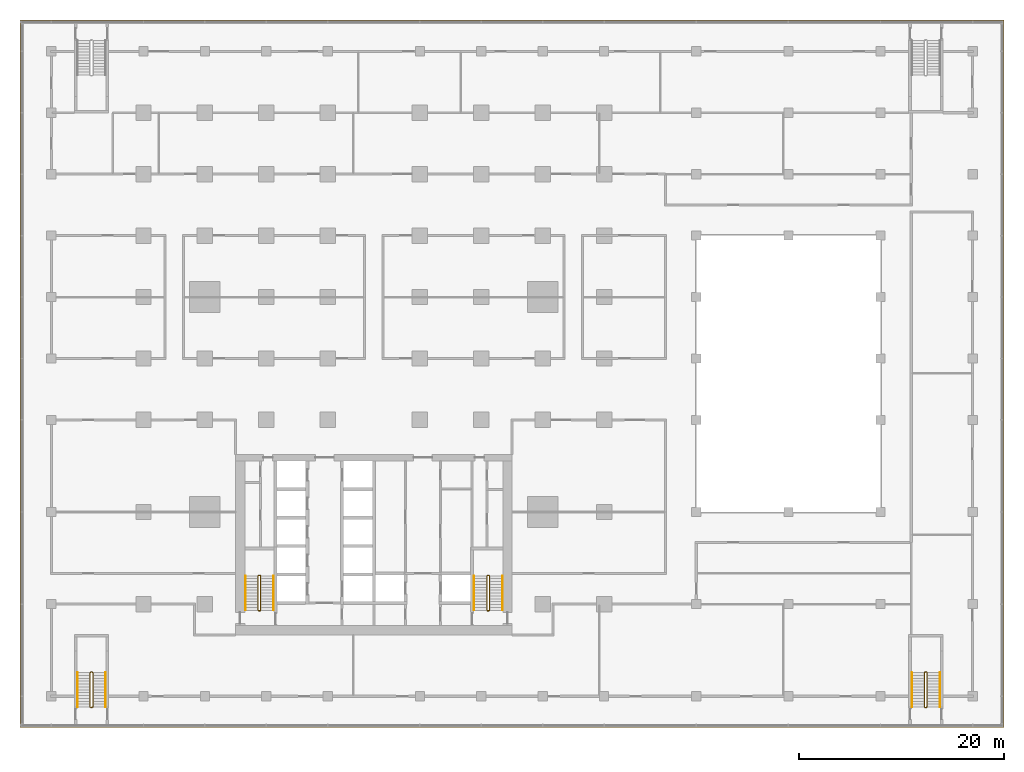
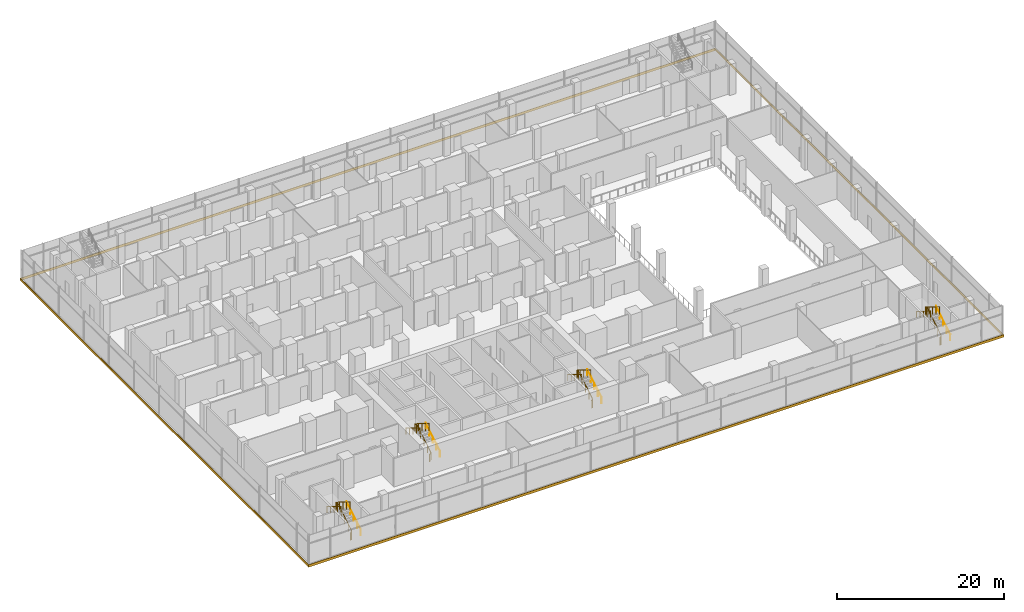
# One storey, part 21 of 22: 12 railings, 1 covering.
"""IFC4 building model written with IfcOpenShell, lengths in metres."""

from ifc_helpers import new_model, si_unit, direction, frame, origin, origin_2d, place, context, subcontext, project, spatial, polyline, circle, outline, extrude, material, layer, layer_set, type_object, element, save


model = new_model("IFC4")

# Units and contexts
model_context = context("Model", 3, precision=1e-05, world=origin(), true_north=direction((0.0, 1.0)))
body_context = subcontext(model_context, "Body", "Model", "MODEL_VIEW")
ifc_project = project(units=[si_unit("LENGTHUNIT", "METRE"), si_unit("AREAUNIT", "SQUARE_METRE"), si_unit("VOLUMEUNIT", "CUBIC_METRE"), si_unit("PLANEANGLEUNIT", "RADIAN"), si_unit("MASSUNIT", "GRAM", prefix="KILO")], contexts=[model_context])

# Site, building, storey
site_placement = place(None, origin())
site = spatial("IfcSite", under=ifc_project, at=site_placement, CompositionType="ELEMENT")
building_placement = place(site_placement, origin())
building = spatial("IfcBuilding", under=site, at=building_placement, Name="Finial Court Residences", CompositionType="ELEMENT")
storey_placement = place(building_placement, frame((0.0, 0.0, 23.5)))
storey = spatial("IfcBuildingStorey", under=building, at=storey_placement, Name="L04", CompositionType="ELEMENT", Elevation=23.5)

# Covering
ifc_material_1 = material(Name="Pale limestone", Category="masonry")
ifc_layer = layer(ifc_material_1, 0.06005859375)
ifc_layer_set = layer_set([ifc_layer], Name="Pale limestone slab-edge band 60")
covering_type = type_object("IfcCoveringType", Name="Pale limestone slab-edge band 60", PredefinedType="CLADDING", material=ifc_layer_set)
covering_placement = place(storey_placement, frame((0.0, 0.0, -0.35009765625)))
element("IfcCovering", 1, at=covering_placement, inside=storey, type_object=covering_type, Name="E-L04-BAND1", PredefinedType="CLADDING", context=body_context, shape_type="SweptSolid", body=[
    extrude(outline(polyline([(-34.56005859375, 34.56005859375), (61.56005859375, 34.56005859375), (61.56005859375, -34.56005859375), (-34.56005859375, -34.56005859375), (-34.56005859375, 34.56005859375)]), holes=[polyline([(61.5, -34.5), (61.5, 34.5), (-34.5, 34.5), (-34.5, -34.5), (61.5, -34.5)])]), origin(), (0.0, 0.0, 1.0), 0.35009765625),
])

# Railings
ifc_material_2 = material(Name="Stainless steel railing", Category="steel")
railing_type_1 = type_object("IfcRailingType", Name="Stair guard 1100", PredefinedType="GUARDRAIL", material=ifc_material_2)
railing_1_placement = place(storey_placement, frame((-11.10009765625, -23.14990234375, 0.0)))
element("IfcRailing", 2, at=railing_1_placement, inside=storey, type_object=railing_type_1, Name="L04 ST-1 stair guard 1", PredefinedType="GUARDRAIL", context=body_context, shape_type="SweptSolid", body=[
    extrude(circle(Radius=0.02392578125, at=origin_2d()), frame((0.0, 0.0, 1.076171875), z_axis=(-1.0, 0.0, 0.0), x_axis=(0.0, -1.0, 0.0)), (0.0, 0.0, 1.0), 0.14990234375),
    extrude(circle(Radius=0.02392578125, at=origin_2d()), frame((-0.14990234375, 0.0, 1.076171875), z_axis=(0.742994154839, 0.185068141132, 0.643202510111), x_axis=(-0.241699205484, 0.970351222016, 0.0)), (0.0, 0.0, 1.0), 0.26904296875),
    extrude(circle(Radius=0.02392578125, at=origin_2d()), frame((0.050048828125, 0.0498046875, 1.2490234375), z_axis=(0.0, 0.850623216509, 0.525775754039), x_axis=(-1.0, 0.0, 0.0)), (0.0, 0.0, 1.0), 3.9501953125),
    extrude(circle(Radius=0.02392578125, at=origin_2d()), frame((0.050048828125, 3.409912109375, 3.326171875), z_axis=(-0.707106781187, 0.707106781187, 0.0), x_axis=(-0.707106781187, -0.707106781187, 0.0)), (0.0, 0.0, 1.0), 0.07080078125),
    extrude(circle(Radius=0.02392578125, at=origin_2d()), frame((0.0, 3.4599609375, 3.326171875), z_axis=(-1.0, 0.0, 0.0), x_axis=(0.0, -1.0, 0.0)), (0.0, 0.0, 1.0), 0.14990234375),
    extrude(circle(Radius=0.02392578125, at=origin_2d()), frame((-0.14990234375, 3.4599609375, 3.326171875), z_axis=(-0.267629722418, -0.267629722418, 0.925607186314), x_axis=(0.707106781187, -0.707106781187, 0.0)), (0.0, 0.0, 1.0), 0.18701171875),
    extrude(circle(Radius=0.02392578125, at=origin_2d()), frame((-0.199951171875, 3.409912109375, 3.4990234375), z_axis=(0.0, -0.850623216509, 0.525775754039), x_axis=(1.0, 0.0, 0.0)), (0.0, 0.0, 1.0), 3.9501953125),
    extrude(circle(Radius=0.02099609375, at=origin_2d()), origin(), (0.0, 0.0, 1.0), 1.052001953125),
    extrude(circle(Radius=0.02099609375, at=origin_2d()), frame((-0.14990234375, 0.0, 0.0)), (0.0, 0.0, 1.0), 1.052001953125),
    extrude(circle(Radius=0.02099609375, at=origin_2d()), frame((0.050048828125, 0.0498046875, 0.173095703125)), (0.0, 0.0, 1.0), 1.052001953125),
    extrude(circle(Radius=0.02099609375, at=origin_2d()), frame((0.050048828125, 0.889892578125, 0.6923828125)), (0.0, 0.0, 1.0), 1.052001953125),
    extrude(circle(Radius=0.02099609375, at=origin_2d()), frame((0.050048828125, 1.72998046875, 1.21142578125)), (0.0, 0.0, 1.0), 1.052001953125),
    extrude(circle(Radius=0.02099609375, at=origin_2d()), frame((0.050048828125, 2.56982421875, 1.730712890625)), (0.0, 0.0, 1.0), 1.052001953125),
    extrude(circle(Radius=0.02099609375, at=origin_2d()), frame((0.050048828125, 3.409912109375, 2.25)), (0.0, 0.0, 1.0), 1.052001953125),
    extrude(circle(Radius=0.02099609375, at=origin_2d()), frame((0.0, 3.4599609375, 2.25)), (0.0, 0.0, 1.0), 1.052001953125),
    extrude(circle(Radius=0.02099609375, at=origin_2d()), frame((-0.14990234375, 3.4599609375, 2.25)), (0.0, 0.0, 1.0), 1.052001953125),
    extrude(circle(Radius=0.02099609375, at=origin_2d()), frame((-0.199951171875, 3.409912109375, 2.423095703125)), (0.0, 0.0, 1.0), 1.052001953125),
    extrude(circle(Radius=0.02099609375, at=origin_2d()), frame((-0.199951171875, 2.56982421875, 2.9423828125)), (0.0, 0.0, 1.0), 1.052001953125),
    extrude(circle(Radius=0.02099609375, at=origin_2d()), frame((-0.199951171875, 1.72998046875, 3.46142578125)), (0.0, 0.0, 1.0), 1.052001953125),
    extrude(circle(Radius=0.02099609375, at=origin_2d()), frame((-0.199951171875, 0.889892578125, 3.980712890625)), (0.0, 0.0, 1.0), 1.052001953125),
    extrude(circle(Radius=0.02099609375, at=origin_2d()), frame((-0.199951171875, 0.0498046875, 4.5)), (0.0, 0.0, 1.0), 1.052001953125),
])
railing_2_placement = place(storey_placement, frame((11.25, -23.14990234375, 0.0)))
element("IfcRailing", 3, at=railing_2_placement, inside=storey, type_object=railing_type_1, Name="L04 ST-2 stair guard 1", PredefinedType="GUARDRAIL", context=body_context, shape_type="SweptSolid", body=[
    extrude(circle(Radius=0.02392578125, at=origin_2d()), frame((0.0, 0.0, 1.076171875), z_axis=(-1.0, 0.0, 0.0), x_axis=(0.0, -1.0, 0.0)), (0.0, 0.0, 1.0), 0.14990234375),
    extrude(circle(Radius=0.02392578125, at=origin_2d()), frame((-0.14990234375, 0.0, 1.076171875), z_axis=(0.742994154839, 0.185068141132, 0.643202510111), x_axis=(-0.241699205484, 0.970351222016, 0.0)), (0.0, 0.0, 1.0), 0.26904296875),
    extrude(circle(Radius=0.02392578125, at=origin_2d()), frame((0.050048828125, 0.0498046875, 1.2490234375), z_axis=(0.0, 0.850623216509, 0.525775754039), x_axis=(-1.0, 0.0, 0.0)), (0.0, 0.0, 1.0), 3.9501953125),
    extrude(circle(Radius=0.02392578125, at=origin_2d()), frame((0.050048828125, 3.409912109375, 3.326171875), z_axis=(-0.707106781187, 0.707106781187, 0.0), x_axis=(-0.707106781187, -0.707106781187, 0.0)), (0.0, 0.0, 1.0), 0.07080078125),
    extrude(circle(Radius=0.02392578125, at=origin_2d()), frame((0.0, 3.4599609375, 3.326171875), z_axis=(-1.0, 0.0, 0.0), x_axis=(0.0, -1.0, 0.0)), (0.0, 0.0, 1.0), 0.14990234375),
    extrude(circle(Radius=0.02392578125, at=origin_2d()), frame((-0.14990234375, 3.4599609375, 3.326171875), z_axis=(-0.267629722418, -0.267629722418, 0.925607186314), x_axis=(0.707106781187, -0.707106781187, 0.0)), (0.0, 0.0, 1.0), 0.18701171875),
    extrude(circle(Radius=0.02392578125, at=origin_2d()), frame((-0.199951171875, 3.409912109375, 3.4990234375), z_axis=(0.0, -0.850623216509, 0.525775754039), x_axis=(1.0, 0.0, 0.0)), (0.0, 0.0, 1.0), 3.9501953125),
    extrude(circle(Radius=0.02099609375, at=origin_2d()), origin(), (0.0, 0.0, 1.0), 1.052001953125),
    extrude(circle(Radius=0.02099609375, at=origin_2d()), frame((-0.14990234375, 0.0, 0.0)), (0.0, 0.0, 1.0), 1.052001953125),
    extrude(circle(Radius=0.02099609375, at=origin_2d()), frame((0.050048828125, 0.0498046875, 0.173095703125)), (0.0, 0.0, 1.0), 1.052001953125),
    extrude(circle(Radius=0.02099609375, at=origin_2d()), frame((0.050048828125, 0.889892578125, 0.6923828125)), (0.0, 0.0, 1.0), 1.052001953125),
    extrude(circle(Radius=0.02099609375, at=origin_2d()), frame((0.050048828125, 1.72998046875, 1.21142578125)), (0.0, 0.0, 1.0), 1.052001953125),
    extrude(circle(Radius=0.02099609375, at=origin_2d()), frame((0.050048828125, 2.56982421875, 1.730712890625)), (0.0, 0.0, 1.0), 1.052001953125),
    extrude(circle(Radius=0.02099609375, at=origin_2d()), frame((0.050048828125, 3.409912109375, 2.25)), (0.0, 0.0, 1.0), 1.052001953125),
    extrude(circle(Radius=0.02099609375, at=origin_2d()), frame((0.0, 3.4599609375, 2.25)), (0.0, 0.0, 1.0), 1.052001953125),
    extrude(circle(Radius=0.02099609375, at=origin_2d()), frame((-0.14990234375, 3.4599609375, 2.25)), (0.0, 0.0, 1.0), 1.052001953125),
    extrude(circle(Radius=0.02099609375, at=origin_2d()), frame((-0.199951171875, 3.409912109375, 2.423095703125)), (0.0, 0.0, 1.0), 1.052001953125),
    extrude(circle(Radius=0.02099609375, at=origin_2d()), frame((-0.199951171875, 2.56982421875, 2.9423828125)), (0.0, 0.0, 1.0), 1.052001953125),
    extrude(circle(Radius=0.02099609375, at=origin_2d()), frame((-0.199951171875, 1.72998046875, 3.46142578125)), (0.0, 0.0, 1.0), 1.052001953125),
    extrude(circle(Radius=0.02099609375, at=origin_2d()), frame((-0.199951171875, 0.889892578125, 3.980712890625)), (0.0, 0.0, 1.0), 1.052001953125),
    extrude(circle(Radius=0.02099609375, at=origin_2d()), frame((-0.199951171875, 0.0498046875, 4.5)), (0.0, 0.0, 1.0), 1.052001953125),
])
railing_3_placement = place(storey_placement, frame((54.0, -32.60009765625, 0.0)))
element("IfcRailing", 4, at=railing_3_placement, inside=storey, type_object=railing_type_1, Name="L04 ST-3 stair guard 1", PredefinedType="GUARDRAIL", context=body_context, shape_type="SweptSolid", body=[
    extrude(circle(Radius=0.02392578125, at=origin_2d()), frame((0.0, 0.0, 1.076171875), z_axis=(-1.0, 0.0, 0.0), x_axis=(0.0, -1.0, 0.0)), (0.0, 0.0, 1.0), 0.14990234375),
    extrude(circle(Radius=0.02392578125, at=origin_2d()), frame((-0.14990234375, 0.0, 1.076171875), z_axis=(0.742869136974, 0.185944045274, 0.643094283413), x_axis=(-0.242814311512, 0.970072785993, 0.0)), (0.0, 0.0, 1.0), 0.26904296875),
    extrude(circle(Radius=0.02392578125, at=origin_2d()), frame((0.050048828125, 0.050048828125, 1.2490234375), z_axis=(0.0, 0.850623216509, 0.525775754039), x_axis=(-1.0, 0.0, 0.0)), (0.0, 0.0, 1.0), 3.9501953125),
    extrude(circle(Radius=0.02392578125, at=origin_2d()), frame((0.050048828125, 3.41015625, 3.326171875), z_axis=(-0.707106781187, 0.707106781187, 0.0), x_axis=(-0.707106781187, -0.707106781187, 0.0)), (0.0, 0.0, 1.0), 0.07080078125),
    extrude(circle(Radius=0.02392578125, at=origin_2d()), frame((0.0, 3.460205078125, 3.326171875), z_axis=(-1.0, 0.0, 0.0), x_axis=(0.0, -1.0, 0.0)), (0.0, 0.0, 1.0), 0.14990234375),
    extrude(circle(Radius=0.02392578125, at=origin_2d()), frame((-0.14990234375, 3.460205078125, 3.326171875), z_axis=(-0.267629722418, -0.267629722418, 0.925607186314), x_axis=(0.707106781187, -0.707106781187, 0.0)), (0.0, 0.0, 1.0), 0.18701171875),
    extrude(circle(Radius=0.02392578125, at=origin_2d()), frame((-0.199951171875, 3.41015625, 3.4990234375), z_axis=(0.0, -0.850623216509, 0.525775754039), x_axis=(1.0, 0.0, 0.0)), (0.0, 0.0, 1.0), 3.9501953125),
    extrude(circle(Radius=0.02099609375, at=origin_2d()), origin(), (0.0, 0.0, 1.0), 1.052001953125),
    extrude(circle(Radius=0.02099609375, at=origin_2d()), frame((-0.14990234375, 0.0, 0.0)), (0.0, 0.0, 1.0), 1.052001953125),
    extrude(circle(Radius=0.02099609375, at=origin_2d()), frame((0.050048828125, 0.050048828125, 0.173095703125)), (0.0, 0.0, 1.0), 1.052001953125),
    extrude(circle(Radius=0.02099609375, at=origin_2d()), frame((0.050048828125, 0.89013671875, 0.6923828125)), (0.0, 0.0, 1.0), 1.052001953125),
    extrude(circle(Radius=0.02099609375, at=origin_2d()), frame((0.050048828125, 1.72998046875, 1.21142578125)), (0.0, 0.0, 1.0), 1.052001953125),
    extrude(circle(Radius=0.02099609375, at=origin_2d()), frame((0.050048828125, 2.570068359375, 1.730712890625)), (0.0, 0.0, 1.0), 1.052001953125),
    extrude(circle(Radius=0.02099609375, at=origin_2d()), frame((0.050048828125, 3.41015625, 2.25)), (0.0, 0.0, 1.0), 1.052001953125),
    extrude(circle(Radius=0.02099609375, at=origin_2d()), frame((0.0, 3.460205078125, 2.25)), (0.0, 0.0, 1.0), 1.052001953125),
    extrude(circle(Radius=0.02099609375, at=origin_2d()), frame((-0.14990234375, 3.460205078125, 2.25)), (0.0, 0.0, 1.0), 1.052001953125),
    extrude(circle(Radius=0.02099609375, at=origin_2d()), frame((-0.199951171875, 3.41015625, 2.423095703125)), (0.0, 0.0, 1.0), 1.052001953125),
    extrude(circle(Radius=0.02099609375, at=origin_2d()), frame((-0.199951171875, 2.570068359375, 2.9423828125)), (0.0, 0.0, 1.0), 1.052001953125),
    extrude(circle(Radius=0.02099609375, at=origin_2d()), frame((-0.199951171875, 1.72998046875, 3.46142578125)), (0.0, 0.0, 1.0), 1.052001953125),
    extrude(circle(Radius=0.02099609375, at=origin_2d()), frame((-0.199951171875, 0.89013671875, 3.980712890625)), (0.0, 0.0, 1.0), 1.052001953125),
    extrude(circle(Radius=0.02099609375, at=origin_2d()), frame((-0.199951171875, 0.050048828125, 4.5)), (0.0, 0.0, 1.0), 1.052001953125),
])
railing_4_placement = place(storey_placement, frame((-27.5, -32.60009765625, 0.0)))
element("IfcRailing", 5, at=railing_4_placement, inside=storey, type_object=railing_type_1, Name="L04 ST-4 stair guard 1", PredefinedType="GUARDRAIL", context=body_context, shape_type="SweptSolid", body=[
    extrude(circle(Radius=0.02392578125, at=origin_2d()), frame((0.0, 0.0, 1.076171875), z_axis=(-1.0, 0.0, 0.0), x_axis=(0.0, -1.0, 0.0)), (0.0, 0.0, 1.0), 0.14990234375),
    extrude(circle(Radius=0.02392578125, at=origin_2d()), frame((-0.14990234375, 0.0, 1.076171875), z_axis=(0.742869136974, 0.185944045274, 0.643094283413), x_axis=(-0.242814311512, 0.970072785993, 0.0)), (0.0, 0.0, 1.0), 0.26904296875),
    extrude(circle(Radius=0.02392578125, at=origin_2d()), frame((0.050048828125, 0.050048828125, 1.2490234375), z_axis=(0.0, 0.850623216509, 0.525775754039), x_axis=(-1.0, 0.0, 0.0)), (0.0, 0.0, 1.0), 3.9501953125),
    extrude(circle(Radius=0.02392578125, at=origin_2d()), frame((0.050048828125, 3.41015625, 3.326171875), z_axis=(-0.707106781187, 0.707106781187, 0.0), x_axis=(-0.707106781187, -0.707106781187, 0.0)), (0.0, 0.0, 1.0), 0.07080078125),
    extrude(circle(Radius=0.02392578125, at=origin_2d()), frame((0.0, 3.460205078125, 3.326171875), z_axis=(-1.0, 0.0, 0.0), x_axis=(0.0, -1.0, 0.0)), (0.0, 0.0, 1.0), 0.14990234375),
    extrude(circle(Radius=0.02392578125, at=origin_2d()), frame((-0.14990234375, 3.460205078125, 3.326171875), z_axis=(-0.267629722418, -0.267629722418, 0.925607186314), x_axis=(0.707106781187, -0.707106781187, 0.0)), (0.0, 0.0, 1.0), 0.18701171875),
    extrude(circle(Radius=0.02392578125, at=origin_2d()), frame((-0.199951171875, 3.41015625, 3.4990234375), z_axis=(0.0, -0.850623216509, 0.525775754039), x_axis=(1.0, 0.0, 0.0)), (0.0, 0.0, 1.0), 3.9501953125),
    extrude(circle(Radius=0.02099609375, at=origin_2d()), origin(), (0.0, 0.0, 1.0), 1.052001953125),
    extrude(circle(Radius=0.02099609375, at=origin_2d()), frame((-0.14990234375, 0.0, 0.0)), (0.0, 0.0, 1.0), 1.052001953125),
    extrude(circle(Radius=0.02099609375, at=origin_2d()), frame((0.050048828125, 0.050048828125, 0.173095703125)), (0.0, 0.0, 1.0), 1.052001953125),
    extrude(circle(Radius=0.02099609375, at=origin_2d()), frame((0.050048828125, 0.89013671875, 0.6923828125)), (0.0, 0.0, 1.0), 1.052001953125),
    extrude(circle(Radius=0.02099609375, at=origin_2d()), frame((0.050048828125, 1.72998046875, 1.21142578125)), (0.0, 0.0, 1.0), 1.052001953125),
    extrude(circle(Radius=0.02099609375, at=origin_2d()), frame((0.050048828125, 2.570068359375, 1.730712890625)), (0.0, 0.0, 1.0), 1.052001953125),
    extrude(circle(Radius=0.02099609375, at=origin_2d()), frame((0.050048828125, 3.41015625, 2.25)), (0.0, 0.0, 1.0), 1.052001953125),
    extrude(circle(Radius=0.02099609375, at=origin_2d()), frame((0.0, 3.460205078125, 2.25)), (0.0, 0.0, 1.0), 1.052001953125),
    extrude(circle(Radius=0.02099609375, at=origin_2d()), frame((-0.14990234375, 3.460205078125, 2.25)), (0.0, 0.0, 1.0), 1.052001953125),
    extrude(circle(Radius=0.02099609375, at=origin_2d()), frame((-0.199951171875, 3.41015625, 2.423095703125)), (0.0, 0.0, 1.0), 1.052001953125),
    extrude(circle(Radius=0.02099609375, at=origin_2d()), frame((-0.199951171875, 2.570068359375, 2.9423828125)), (0.0, 0.0, 1.0), 1.052001953125),
    extrude(circle(Radius=0.02099609375, at=origin_2d()), frame((-0.199951171875, 1.72998046875, 3.46142578125)), (0.0, 0.0, 1.0), 1.052001953125),
    extrude(circle(Radius=0.02099609375, at=origin_2d()), frame((-0.199951171875, 0.89013671875, 3.980712890625)), (0.0, 0.0, 1.0), 1.052001953125),
    extrude(circle(Radius=0.02099609375, at=origin_2d()), frame((-0.199951171875, 0.050048828125, 4.5)), (0.0, 0.0, 1.0), 1.052001953125),
])
railing_type_2 = type_object("IfcRailingType", Name="Stair handrail 900", PredefinedType="HANDRAIL", material=ifc_material_2)
railing_5_placement = place(storey_placement, frame((-9.800048828125, -23.10009765625, 0.173095703125)))
element("IfcRailing", 6, at=railing_5_placement, inside=storey, type_object=railing_type_2, Name="L04 ST-1 stair handrail 1", PredefinedType="HANDRAIL", context=body_context, shape_type="SweptSolid", body=[
    extrude(circle(Radius=0.02392578125, at=origin_2d()), frame((0.0, 0.0, 0.8759765625), z_axis=(0.0, 0.850623216509, 0.525775754039), x_axis=(-1.0, 0.0, 0.0)), (0.0, 0.0, 1.0), 3.9501953125),
    extrude(circle(Radius=0.02099609375, at=origin_2d()), origin(), (0.0, 0.0, 1.0), 0.851806640625),
    extrude(circle(Radius=0.02099609375, at=origin_2d()), frame((0.0, 0.840087890625, 0.519287109375)), (0.0, 0.0, 1.0), 0.851806640625),
    extrude(circle(Radius=0.02099609375, at=origin_2d()), frame((0.0, 1.68017578125, 1.03857421875)), (0.0, 0.0, 1.0), 0.851806640625),
    extrude(circle(Radius=0.02099609375, at=origin_2d()), frame((0.0, 2.52001953125, 1.5576171875)), (0.0, 0.0, 1.0), 0.851806640625),
    extrude(circle(Radius=0.02099609375, at=origin_2d()), frame((0.0, 3.360107421875, 2.076904296875)), (0.0, 0.0, 1.0), 0.851806640625),
])
railing_6_placement = place(storey_placement, frame((-12.550048828125, -19.739990234375, 2.423095703125)))
element("IfcRailing", 7, at=railing_6_placement, inside=storey, type_object=railing_type_2, Name="L04 ST-1 stair handrail 2", PredefinedType="HANDRAIL", context=body_context, shape_type="SweptSolid", body=[
    extrude(circle(Radius=0.02392578125, at=origin_2d()), frame((0.0, 0.0, 0.8759765625), z_axis=(0.0, -0.850623216509, 0.525775754039), x_axis=(1.0, 0.0, 0.0)), (0.0, 0.0, 1.0), 3.9501953125),
    extrude(circle(Radius=0.02099609375, at=origin_2d()), origin(), (0.0, 0.0, 1.0), 0.851806640625),
    extrude(circle(Radius=0.02099609375, at=origin_2d()), frame((0.0, -0.840087890625, 0.519287109375)), (0.0, 0.0, 1.0), 0.851806640625),
    extrude(circle(Radius=0.02099609375, at=origin_2d()), frame((0.0, -1.68017578125, 1.03857421875)), (0.0, 0.0, 1.0), 0.851806640625),
    extrude(circle(Radius=0.02099609375, at=origin_2d()), frame((0.0, -2.52001953125, 1.5576171875)), (0.0, 0.0, 1.0), 0.851806640625),
    extrude(circle(Radius=0.02099609375, at=origin_2d()), frame((0.0, -3.360107421875, 2.076904296875)), (0.0, 0.0, 1.0), 0.851806640625),
])
railing_7_placement = place(storey_placement, frame((12.550048828125, -23.10009765625, 0.173095703125)))
element("IfcRailing", 8, at=railing_7_placement, inside=storey, type_object=railing_type_2, Name="L04 ST-2 stair handrail 1", PredefinedType="HANDRAIL", context=body_context, shape_type="SweptSolid", body=[
    extrude(circle(Radius=0.02392578125, at=origin_2d()), frame((0.0, 0.0, 0.8759765625), z_axis=(0.0, 0.850623216509, 0.525775754039), x_axis=(-1.0, 0.0, 0.0)), (0.0, 0.0, 1.0), 3.9501953125),
    extrude(circle(Radius=0.02099609375, at=origin_2d()), origin(), (0.0, 0.0, 1.0), 0.851806640625),
    extrude(circle(Radius=0.02099609375, at=origin_2d()), frame((0.0, 0.840087890625, 0.519287109375)), (0.0, 0.0, 1.0), 0.851806640625),
    extrude(circle(Radius=0.02099609375, at=origin_2d()), frame((0.0, 1.68017578125, 1.03857421875)), (0.0, 0.0, 1.0), 0.851806640625),
    extrude(circle(Radius=0.02099609375, at=origin_2d()), frame((0.0, 2.52001953125, 1.5576171875)), (0.0, 0.0, 1.0), 0.851806640625),
    extrude(circle(Radius=0.02099609375, at=origin_2d()), frame((0.0, 3.360107421875, 2.076904296875)), (0.0, 0.0, 1.0), 0.851806640625),
])
railing_8_placement = place(storey_placement, frame((9.800048828125, -19.739990234375, 2.423095703125)))
element("IfcRailing", 9, at=railing_8_placement, inside=storey, type_object=railing_type_2, Name="L04 ST-2 stair handrail 2", PredefinedType="HANDRAIL", context=body_context, shape_type="SweptSolid", body=[
    extrude(circle(Radius=0.02392578125, at=origin_2d()), frame((0.0, 0.0, 0.8759765625), z_axis=(0.0, -0.850623216509, 0.525775754039), x_axis=(1.0, 0.0, 0.0)), (0.0, 0.0, 1.0), 3.9501953125),
    extrude(circle(Radius=0.02099609375, at=origin_2d()), origin(), (0.0, 0.0, 1.0), 0.851806640625),
    extrude(circle(Radius=0.02099609375, at=origin_2d()), frame((0.0, -0.840087890625, 0.519287109375)), (0.0, 0.0, 1.0), 0.851806640625),
    extrude(circle(Radius=0.02099609375, at=origin_2d()), frame((0.0, -1.68017578125, 1.03857421875)), (0.0, 0.0, 1.0), 0.851806640625),
    extrude(circle(Radius=0.02099609375, at=origin_2d()), frame((0.0, -2.52001953125, 1.5576171875)), (0.0, 0.0, 1.0), 0.851806640625),
    extrude(circle(Radius=0.02099609375, at=origin_2d()), frame((0.0, -3.360107421875, 2.076904296875)), (0.0, 0.0, 1.0), 0.851806640625),
])
railing_9_placement = place(storey_placement, frame((55.300048828125, -32.550048828125, 0.173095703125)))
element("IfcRailing", 10, at=railing_9_placement, inside=storey, type_object=railing_type_2, Name="L04 ST-3 stair handrail 1", PredefinedType="HANDRAIL", context=body_context, shape_type="SweptSolid", body=[
    extrude(circle(Radius=0.02392578125, at=origin_2d()), frame((0.0, 0.0, 0.8759765625), z_axis=(0.0, 0.850623216509, 0.525775754039), x_axis=(-1.0, 0.0, 0.0)), (0.0, 0.0, 1.0), 3.9501953125),
    extrude(circle(Radius=0.02099609375, at=origin_2d()), origin(), (0.0, 0.0, 1.0), 0.851806640625),
    extrude(circle(Radius=0.02099609375, at=origin_2d()), frame((0.0, 0.840087890625, 0.519287109375)), (0.0, 0.0, 1.0), 0.851806640625),
    extrude(circle(Radius=0.02099609375, at=origin_2d()), frame((0.0, 1.68017578125, 1.03857421875)), (0.0, 0.0, 1.0), 0.851806640625),
    extrude(circle(Radius=0.02099609375, at=origin_2d()), frame((0.0, 2.52001953125, 1.5576171875)), (0.0, 0.0, 1.0), 0.851806640625),
    extrude(circle(Radius=0.02099609375, at=origin_2d()), frame((0.0, 3.360107421875, 2.076904296875)), (0.0, 0.0, 1.0), 0.851806640625),
])
railing_10_placement = place(storey_placement, frame((52.550048828125, -29.18994140625, 2.423095703125)))
element("IfcRailing", 11, at=railing_10_placement, inside=storey, type_object=railing_type_2, Name="L04 ST-3 stair handrail 2", PredefinedType="HANDRAIL", context=body_context, shape_type="SweptSolid", body=[
    extrude(circle(Radius=0.02392578125, at=origin_2d()), frame((0.0, 0.0, 0.8759765625), z_axis=(0.0, -0.850623216509, 0.525775754039), x_axis=(1.0, 0.0, 0.0)), (0.0, 0.0, 1.0), 3.9501953125),
    extrude(circle(Radius=0.02099609375, at=origin_2d()), origin(), (0.0, 0.0, 1.0), 0.851806640625),
    extrude(circle(Radius=0.02099609375, at=origin_2d()), frame((0.0, -0.840087890625, 0.519287109375)), (0.0, 0.0, 1.0), 0.851806640625),
    extrude(circle(Radius=0.02099609375, at=origin_2d()), frame((0.0, -1.68017578125, 1.03857421875)), (0.0, 0.0, 1.0), 0.851806640625),
    extrude(circle(Radius=0.02099609375, at=origin_2d()), frame((0.0, -2.52001953125, 1.5576171875)), (0.0, 0.0, 1.0), 0.851806640625),
    extrude(circle(Radius=0.02099609375, at=origin_2d()), frame((0.0, -3.360107421875, 2.076904296875)), (0.0, 0.0, 1.0), 0.851806640625),
])
railing_11_placement = place(storey_placement, frame((-26.199951171875, -32.550048828125, 0.173095703125)))
element("IfcRailing", 12, at=railing_11_placement, inside=storey, type_object=railing_type_2, Name="L04 ST-4 stair handrail 1", PredefinedType="HANDRAIL", context=body_context, shape_type="SweptSolid", body=[
    extrude(circle(Radius=0.02392578125, at=origin_2d()), frame((0.0, 0.0, 0.8759765625), z_axis=(0.0, 0.850623216509, 0.525775754039), x_axis=(-1.0, 0.0, 0.0)), (0.0, 0.0, 1.0), 3.9501953125),
    extrude(circle(Radius=0.02099609375, at=origin_2d()), origin(), (0.0, 0.0, 1.0), 0.851806640625),
    extrude(circle(Radius=0.02099609375, at=origin_2d()), frame((0.0, 0.840087890625, 0.519287109375)), (0.0, 0.0, 1.0), 0.851806640625),
    extrude(circle(Radius=0.02099609375, at=origin_2d()), frame((0.0, 1.68017578125, 1.03857421875)), (0.0, 0.0, 1.0), 0.851806640625),
    extrude(circle(Radius=0.02099609375, at=origin_2d()), frame((0.0, 2.52001953125, 1.5576171875)), (0.0, 0.0, 1.0), 0.851806640625),
    extrude(circle(Radius=0.02099609375, at=origin_2d()), frame((0.0, 3.360107421875, 2.076904296875)), (0.0, 0.0, 1.0), 0.851806640625),
])
railing_12_placement = place(storey_placement, frame((-28.949951171875, -29.18994140625, 2.423095703125)))
element("IfcRailing", 13, at=railing_12_placement, inside=storey, type_object=railing_type_2, Name="L04 ST-4 stair handrail 2", PredefinedType="HANDRAIL", context=body_context, shape_type="SweptSolid", body=[
    extrude(circle(Radius=0.02392578125, at=origin_2d()), frame((0.0, 0.0, 0.8759765625), z_axis=(0.0, -0.850623216509, 0.525775754039), x_axis=(1.0, 0.0, 0.0)), (0.0, 0.0, 1.0), 3.9501953125),
    extrude(circle(Radius=0.02099609375, at=origin_2d()), origin(), (0.0, 0.0, 1.0), 0.851806640625),
    extrude(circle(Radius=0.02099609375, at=origin_2d()), frame((0.0, -0.840087890625, 0.519287109375)), (0.0, 0.0, 1.0), 0.851806640625),
    extrude(circle(Radius=0.02099609375, at=origin_2d()), frame((0.0, -1.68017578125, 1.03857421875)), (0.0, 0.0, 1.0), 0.851806640625),
    extrude(circle(Radius=0.02099609375, at=origin_2d()), frame((0.0, -2.52001953125, 1.5576171875)), (0.0, 0.0, 1.0), 0.851806640625),
    extrude(circle(Radius=0.02099609375, at=origin_2d()), frame((0.0, -3.360107421875, 2.076904296875)), (0.0, 0.0, 1.0), 0.851806640625),
])

save(model, "model.ifc")
